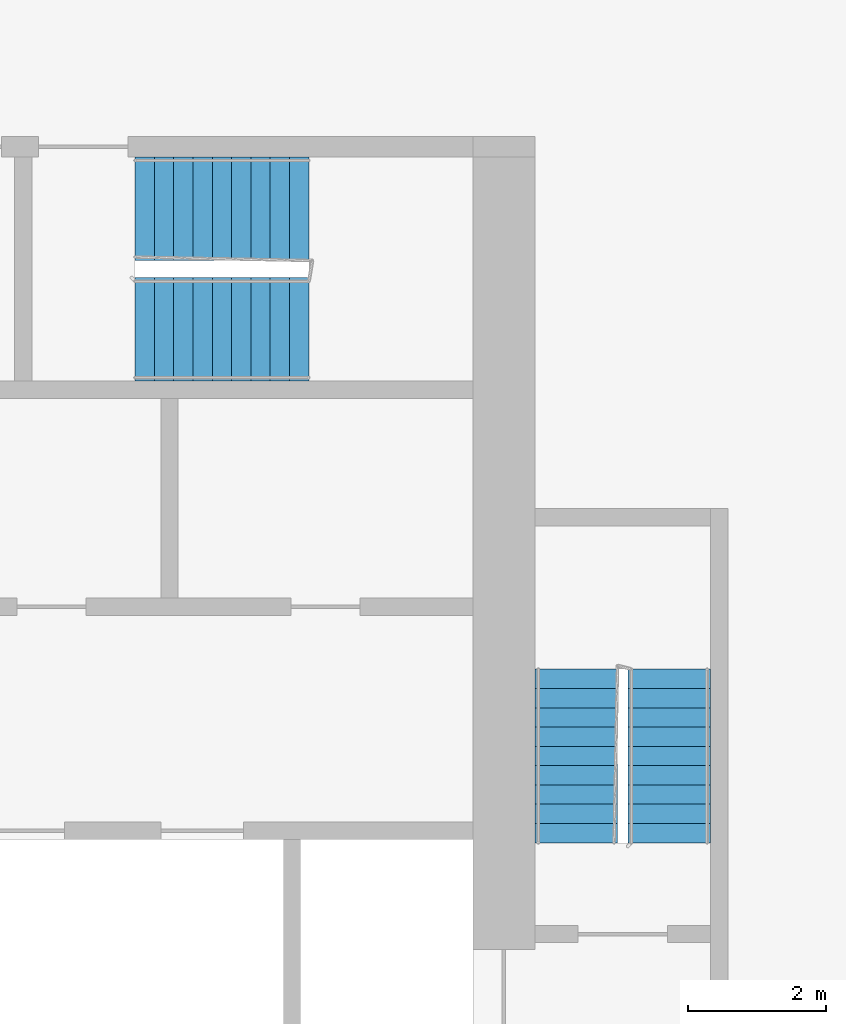
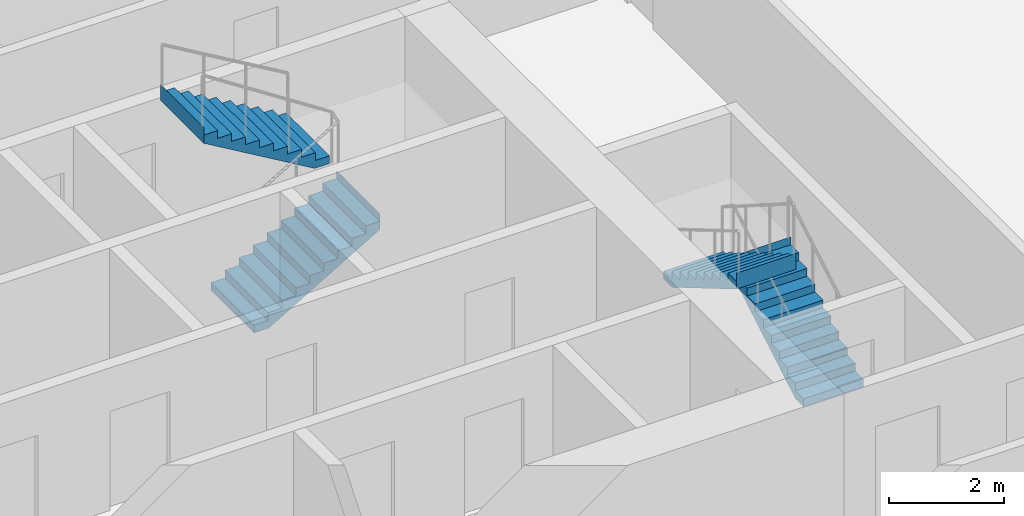
# One storey, part 10 of 12: 4 stair flights, 2 elements without a shape of their own.
"""IFC4 building model written with IfcOpenShell, lengths in metres."""

from ifc_helpers import new_model, si_unit, direction, frame, origin, place, context, subcontext, project, spatial, faceted_brep, material, type_object, element, aggregate, save


model = new_model("IFC4")

# Units and contexts
model_context = context("Model", 3, precision=1e-05, world=origin(), true_north=direction((0.0, 1.0)))
body_context = subcontext(model_context, "Body", "Model", "MODEL_VIEW")
ifc_project = project(units=[si_unit("LENGTHUNIT", "METRE"), si_unit("AREAUNIT", "SQUARE_METRE"), si_unit("VOLUMEUNIT", "CUBIC_METRE"), si_unit("PLANEANGLEUNIT", "RADIAN"), si_unit("MASSUNIT", "GRAM", prefix="KILO")], contexts=[model_context])

# Site, building, storey
site_placement = place(None, origin())
site = spatial("IfcSite", under=ifc_project, at=site_placement, CompositionType="ELEMENT")
building_placement = place(site_placement, origin())
building = spatial("IfcBuilding", under=site, at=building_placement, Name="Kajstack Hotel Tower", CompositionType="ELEMENT")
storey_placement = place(building_placement, frame((0.0, 0.0, 227.60009765625)))
storey = spatial("IfcBuildingStorey", under=building, at=storey_placement, Name="L55", CompositionType="ELEMENT", Elevation=227.60009765625)

# Stair, stair flights
ifc_material = material(Name="Concrete C40/50", Category="concrete")
stair_type_1 = type_object("IfcStairType", Name="Exit stair 1200", PredefinedType="HALF_TURN_STAIR", material=ifc_material)
stair_1_placement = place(storey_placement, origin())
stair_1 = element("IfcStair", 1, at=stair_1_placement, inside=storey, type_object=stair_type_1, Name="L55 stair E1", PredefinedType="HALF_TURN_STAIR")
stair_flight_type_1 = type_object("IfcStairFlightType", Name="Exit stair flight 1200", PredefinedType="STRAIGHT", material=ifc_material)
stair_flight_1_placement = place(storey_placement, frame((33.449951171875, 5.25, 0.0), z_axis=(0.0, 0.0, 1.0), x_axis=(0.0, 1.0, 0.0)))
stair_flight_1 = element("IfcStairFlight", 2, at=stair_flight_1_placement, type_object=stair_flight_type_1, Name="E1 flight 1", NumberOfRisers=10, NumberOfTreads=9, PredefinedType="STRAIGHT", RiserHeight=0.165, TreadLength=0.28, context=body_context, shape_type="Brep", body=[
    faceted_brep([(0.295654296875, -0.60009765625, 0.0), (2.5205078125, -0.60009765625, 1.31103515625), (2.5205078125, -0.60009765625, 1.64990234375), (2.52001953125, -0.60009765625, 1.64990234375), (2.52001953125, -0.60009765625, 1.485107421875), (2.239990234375, -0.60009765625, 1.485107421875), (2.239990234375, -0.60009765625, 1.320068359375), (1.9599609375, -0.60009765625, 1.320068359375), (1.9599609375, -0.60009765625, 1.155029296875), (1.679931640625, -0.60009765625, 1.155029296875), (1.679931640625, -0.60009765625, 0.989990234375), (1.39990234375, -0.60009765625, 0.989990234375), (1.39990234375, -0.60009765625, 0.824951171875), (1.1201171875, -0.60009765625, 0.824951171875), (1.1201171875, -0.60009765625, 0.659912109375), (0.840087890625, -0.60009765625, 0.659912109375), (0.840087890625, -0.60009765625, 0.4951171875), (0.56005859375, -0.60009765625, 0.4951171875), (0.56005859375, -0.60009765625, 0.330078125), (0.280029296875, -0.60009765625, 0.330078125), (0.280029296875, -0.60009765625, 0.1650390625), (-0.00048828125, -0.60009765625, 0.1650390625), (-0.00048828125, -0.60009765625, 0.0), (-0.00048828125, 0.60009765625, 0.0), (-0.00048828125, 0.60009765625, 0.1650390625), (0.280029296875, 0.60009765625, 0.1650390625), (0.280029296875, 0.60009765625, 0.330078125), (0.56005859375, 0.60009765625, 0.330078125), (0.56005859375, 0.60009765625, 0.4951171875), (0.840087890625, 0.60009765625, 0.4951171875), (0.840087890625, 0.60009765625, 0.659912109375), (1.1201171875, 0.60009765625, 0.659912109375), (1.1201171875, 0.60009765625, 0.824951171875), (1.39990234375, 0.60009765625, 0.824951171875), (1.39990234375, 0.60009765625, 0.989990234375), (1.679931640625, 0.60009765625, 0.989990234375), (1.679931640625, 0.60009765625, 1.155029296875), (1.9599609375, 0.60009765625, 1.155029296875), (1.9599609375, 0.60009765625, 1.320068359375), (2.239990234375, 0.60009765625, 1.320068359375), (2.239990234375, 0.60009765625, 1.485107421875), (2.52001953125, 0.60009765625, 1.485107421875), (2.52001953125, 0.60009765625, 1.64990234375), (2.5205078125, 0.60009765625, 1.64990234375), (2.5205078125, 0.60009765625, 1.31103515625), (0.295654296875, 0.60009765625, 0.0), (-0.00048828125, -0.300048828125, 0.1650390625), (-0.00048828125, 0.0, 0.1650390625), (-0.00048828125, 0.300048828125, 0.1650390625), (-0.00048828125, 0.300048828125, 0.0), (-0.00048828125, 0.0, 0.0), (-0.00048828125, -0.300048828125, 0.0), (0.280029296875, -0.300048828125, 0.1650390625), (0.280029296875, 0.0, 0.1650390625), (0.280029296875, 0.300048828125, 0.1650390625), (0.280029296875, -0.300048828125, 0.330078125), (0.280029296875, 0.0, 0.330078125), (0.280029296875, 0.300048828125, 0.330078125), (0.56005859375, -0.300048828125, 0.330078125), (0.56005859375, 0.0, 0.330078125), (0.56005859375, 0.300048828125, 0.330078125), (0.56005859375, -0.300048828125, 0.4951171875), (0.56005859375, 0.0, 0.4951171875), (0.56005859375, 0.300048828125, 0.4951171875), (0.840087890625, -0.300048828125, 0.4951171875), (0.840087890625, 0.0, 0.4951171875), (0.840087890625, 0.300048828125, 0.4951171875), (0.840087890625, -0.300048828125, 0.659912109375), (0.840087890625, 0.0, 0.659912109375), (0.840087890625, 0.300048828125, 0.659912109375), (1.1201171875, -0.300048828125, 0.659912109375), (1.1201171875, 0.0, 0.659912109375), (1.1201171875, 0.300048828125, 0.659912109375), (1.1201171875, -0.300048828125, 0.824951171875), (1.1201171875, 0.0, 0.824951171875), (1.1201171875, 0.300048828125, 0.824951171875), (1.39990234375, -0.300048828125, 0.824951171875), (1.39990234375, 0.0, 0.824951171875), (1.39990234375, 0.300048828125, 0.824951171875), (1.39990234375, -0.300048828125, 0.989990234375), (1.39990234375, 0.0, 0.989990234375), (1.39990234375, 0.300048828125, 0.989990234375), (1.679931640625, -0.300048828125, 0.989990234375), (1.679931640625, 0.0, 0.989990234375), (1.679931640625, 0.300048828125, 0.989990234375), (1.679931640625, -0.300048828125, 1.155029296875), (1.679931640625, 0.0, 1.155029296875), (1.679931640625, 0.300048828125, 1.155029296875), (1.9599609375, -0.300048828125, 1.155029296875), (1.9599609375, 0.0, 1.155029296875), (1.9599609375, 0.300048828125, 1.155029296875), (1.9599609375, -0.300048828125, 1.320068359375), (1.9599609375, 0.0, 1.320068359375), (1.9599609375, 0.300048828125, 1.320068359375), (2.239990234375, -0.300048828125, 1.320068359375), (2.239990234375, 0.0, 1.320068359375), (2.239990234375, 0.300048828125, 1.320068359375), (2.239990234375, -0.300048828125, 1.485107421875), (2.239990234375, 0.0, 1.485107421875), (2.239990234375, 0.300048828125, 1.485107421875), (2.52001953125, -0.300048828125, 1.485107421875), (2.52001953125, 0.0, 1.485107421875), (2.52001953125, 0.300048828125, 1.485107421875), (2.52001953125, -0.300048828125, 1.64990234375), (2.52001953125, 0.0, 1.64990234375), (2.52001953125, 0.300048828125, 1.64990234375), (2.5205078125, -0.300048828125, 1.64990234375), (2.5205078125, 0.0, 1.64990234375), (2.5205078125, 0.300048828125, 1.64990234375), (2.5205078125, -0.300048828125, 1.31103515625), (2.5205078125, 0.0, 1.31103515625), (2.5205078125, 0.300048828125, 1.31103515625), (0.295654296875, -0.300048828125, 0.0), (0.295654296875, 0.0, 0.0), (0.295654296875, 0.300048828125, 0.0)], [[[0, 1, 2, 3, 4, 5, 6, 7, 8, 9, 10, 11, 12, 13, 14, 15, 16, 17, 18, 19, 20, 21, 22]], [[23, 24, 25, 26, 27, 28, 29, 30, 31, 32, 33, 34, 35, 36, 37, 38, 39, 40, 41, 42, 43, 44, 45]], [[21, 46, 47, 48, 24, 23, 49, 50, 51, 22]], [[20, 52, 53, 54, 25, 24, 48, 47, 46, 21]], [[19, 55, 56, 57, 26, 25, 54, 53, 52, 20]], [[18, 58, 59, 60, 27, 26, 57, 56, 55, 19]], [[17, 61, 62, 63, 28, 27, 60, 59, 58, 18]], [[16, 64, 65, 66, 29, 28, 63, 62, 61, 17]], [[15, 67, 68, 69, 30, 29, 66, 65, 64, 16]], [[14, 70, 71, 72, 31, 30, 69, 68, 67, 15]], [[13, 73, 74, 75, 32, 31, 72, 71, 70, 14]], [[12, 76, 77, 78, 33, 32, 75, 74, 73, 13]], [[11, 79, 80, 81, 34, 33, 78, 77, 76, 12]], [[10, 82, 83, 84, 35, 34, 81, 80, 79, 11]], [[9, 85, 86, 87, 36, 35, 84, 83, 82, 10]], [[8, 88, 89, 90, 37, 36, 87, 86, 85, 9]], [[7, 91, 92, 93, 38, 37, 90, 89, 88, 8]], [[6, 94, 95, 96, 39, 38, 93, 92, 91, 7]], [[5, 97, 98, 99, 40, 39, 96, 95, 94, 6]], [[4, 100, 101, 102, 41, 40, 99, 98, 97, 5]], [[3, 103, 104, 105, 42, 41, 102, 101, 100, 4]], [[2, 106, 107, 108, 43, 42, 105, 104, 103, 3]], [[1, 109, 110, 111, 44, 43, 108, 107, 106, 2]], [[0, 112, 113, 114, 45, 44, 111, 110, 109, 1]], [[22, 51, 50, 49, 23, 45, 114, 113, 112, 0]]]),
])
stair_flight_2_placement = place(storey_placement, frame((32.10009765625, 7.77001953125, 1.64990234375), z_axis=(0.0, 0.0, 1.0), x_axis=(0.0, -1.0, 0.0)))
stair_flight_2 = element("IfcStairFlight", 3, at=stair_flight_2_placement, type_object=stair_flight_type_1, Name="E1 flight 2", NumberOfRisers=10, NumberOfTreads=9, PredefinedType="STRAIGHT", RiserHeight=0.165, TreadLength=0.28, context=body_context, shape_type="Brep", body=[
    faceted_brep([(0.295654296875, -0.60009765625, 0.0), (2.5205078125, -0.60009765625, 1.31103515625), (2.5205078125, -0.60009765625, 1.64990234375), (2.52001953125, -0.60009765625, 1.64990234375), (2.52001953125, -0.60009765625, 1.485107421875), (2.239990234375, -0.60009765625, 1.485107421875), (2.239990234375, -0.60009765625, 1.320068359375), (1.9599609375, -0.60009765625, 1.320068359375), (1.9599609375, -0.60009765625, 1.155029296875), (1.679931640625, -0.60009765625, 1.155029296875), (1.679931640625, -0.60009765625, 0.989990234375), (1.39990234375, -0.60009765625, 0.989990234375), (1.39990234375, -0.60009765625, 0.824951171875), (1.1201171875, -0.60009765625, 0.824951171875), (1.1201171875, -0.60009765625, 0.659912109375), (0.840087890625, -0.60009765625, 0.659912109375), (0.840087890625, -0.60009765625, 0.4951171875), (0.56005859375, -0.60009765625, 0.4951171875), (0.56005859375, -0.60009765625, 0.330078125), (0.280029296875, -0.60009765625, 0.330078125), (0.280029296875, -0.60009765625, 0.1650390625), (-0.00048828125, -0.60009765625, 0.1650390625), (-0.00048828125, -0.60009765625, 0.0), (-0.00048828125, 0.60009765625, 0.0), (-0.00048828125, 0.60009765625, 0.1650390625), (0.280029296875, 0.60009765625, 0.1650390625), (0.280029296875, 0.60009765625, 0.330078125), (0.56005859375, 0.60009765625, 0.330078125), (0.56005859375, 0.60009765625, 0.4951171875), (0.840087890625, 0.60009765625, 0.4951171875), (0.840087890625, 0.60009765625, 0.659912109375), (1.1201171875, 0.60009765625, 0.659912109375), (1.1201171875, 0.60009765625, 0.824951171875), (1.39990234375, 0.60009765625, 0.824951171875), (1.39990234375, 0.60009765625, 0.989990234375), (1.679931640625, 0.60009765625, 0.989990234375), (1.679931640625, 0.60009765625, 1.155029296875), (1.9599609375, 0.60009765625, 1.155029296875), (1.9599609375, 0.60009765625, 1.320068359375), (2.239990234375, 0.60009765625, 1.320068359375), (2.239990234375, 0.60009765625, 1.485107421875), (2.52001953125, 0.60009765625, 1.485107421875), (2.52001953125, 0.60009765625, 1.64990234375), (2.5205078125, 0.60009765625, 1.64990234375), (2.5205078125, 0.60009765625, 1.31103515625), (0.295654296875, 0.60009765625, 0.0), (-0.00048828125, -0.300048828125, 0.1650390625), (-0.00048828125, 0.0, 0.1650390625), (-0.00048828125, 0.300048828125, 0.1650390625), (-0.00048828125, 0.300048828125, 0.0), (-0.00048828125, 0.0, 0.0), (-0.00048828125, -0.300048828125, 0.0), (0.280029296875, -0.300048828125, 0.1650390625), (0.280029296875, 0.0, 0.1650390625), (0.280029296875, 0.300048828125, 0.1650390625), (0.280029296875, -0.300048828125, 0.330078125), (0.280029296875, 0.0, 0.330078125), (0.280029296875, 0.300048828125, 0.330078125), (0.56005859375, -0.300048828125, 0.330078125), (0.56005859375, 0.0, 0.330078125), (0.56005859375, 0.300048828125, 0.330078125), (0.56005859375, -0.300048828125, 0.4951171875), (0.56005859375, 0.0, 0.4951171875), (0.56005859375, 0.300048828125, 0.4951171875), (0.840087890625, -0.300048828125, 0.4951171875), (0.840087890625, 0.0, 0.4951171875), (0.840087890625, 0.300048828125, 0.4951171875), (0.840087890625, -0.300048828125, 0.659912109375), (0.840087890625, 0.0, 0.659912109375), (0.840087890625, 0.300048828125, 0.659912109375), (1.1201171875, -0.300048828125, 0.659912109375), (1.1201171875, 0.0, 0.659912109375), (1.1201171875, 0.300048828125, 0.659912109375), (1.1201171875, -0.300048828125, 0.824951171875), (1.1201171875, 0.0, 0.824951171875), (1.1201171875, 0.300048828125, 0.824951171875), (1.39990234375, -0.300048828125, 0.824951171875), (1.39990234375, 0.0, 0.824951171875), (1.39990234375, 0.300048828125, 0.824951171875), (1.39990234375, -0.300048828125, 0.989990234375), (1.39990234375, 0.0, 0.989990234375), (1.39990234375, 0.300048828125, 0.989990234375), (1.679931640625, -0.300048828125, 0.989990234375), (1.679931640625, 0.0, 0.989990234375), (1.679931640625, 0.300048828125, 0.989990234375), (1.679931640625, -0.300048828125, 1.155029296875), (1.679931640625, 0.0, 1.155029296875), (1.679931640625, 0.300048828125, 1.155029296875), (1.9599609375, -0.300048828125, 1.155029296875), (1.9599609375, 0.0, 1.155029296875), (1.9599609375, 0.300048828125, 1.155029296875), (1.9599609375, -0.300048828125, 1.320068359375), (1.9599609375, 0.0, 1.320068359375), (1.9599609375, 0.300048828125, 1.320068359375), (2.239990234375, -0.300048828125, 1.320068359375), (2.239990234375, 0.0, 1.320068359375), (2.239990234375, 0.300048828125, 1.320068359375), (2.239990234375, -0.300048828125, 1.485107421875), (2.239990234375, 0.0, 1.485107421875), (2.239990234375, 0.300048828125, 1.485107421875), (2.52001953125, -0.300048828125, 1.485107421875), (2.52001953125, 0.0, 1.485107421875), (2.52001953125, 0.300048828125, 1.485107421875), (2.52001953125, -0.300048828125, 1.64990234375), (2.52001953125, 0.0, 1.64990234375), (2.52001953125, 0.300048828125, 1.64990234375), (2.5205078125, -0.300048828125, 1.64990234375), (2.5205078125, 0.0, 1.64990234375), (2.5205078125, 0.300048828125, 1.64990234375), (2.5205078125, -0.300048828125, 1.31103515625), (2.5205078125, 0.0, 1.31103515625), (2.5205078125, 0.300048828125, 1.31103515625), (0.295654296875, -0.300048828125, 0.0), (0.295654296875, 0.0, 0.0), (0.295654296875, 0.300048828125, 0.0)], [[[0, 1, 2, 3, 4, 5, 6, 7, 8, 9, 10, 11, 12, 13, 14, 15, 16, 17, 18, 19, 20, 21, 22]], [[23, 24, 25, 26, 27, 28, 29, 30, 31, 32, 33, 34, 35, 36, 37, 38, 39, 40, 41, 42, 43, 44, 45]], [[21, 46, 47, 48, 24, 23, 49, 50, 51, 22]], [[20, 52, 53, 54, 25, 24, 48, 47, 46, 21]], [[19, 55, 56, 57, 26, 25, 54, 53, 52, 20]], [[18, 58, 59, 60, 27, 26, 57, 56, 55, 19]], [[17, 61, 62, 63, 28, 27, 60, 59, 58, 18]], [[16, 64, 65, 66, 29, 28, 63, 62, 61, 17]], [[15, 67, 68, 69, 30, 29, 66, 65, 64, 16]], [[14, 70, 71, 72, 31, 30, 69, 68, 67, 15]], [[13, 73, 74, 75, 32, 31, 72, 71, 70, 14]], [[12, 76, 77, 78, 33, 32, 75, 74, 73, 13]], [[11, 79, 80, 81, 34, 33, 78, 77, 76, 12]], [[10, 82, 83, 84, 35, 34, 81, 80, 79, 11]], [[9, 85, 86, 87, 36, 35, 84, 83, 82, 10]], [[8, 88, 89, 90, 37, 36, 87, 86, 85, 9]], [[7, 91, 92, 93, 38, 37, 90, 89, 88, 8]], [[6, 94, 95, 96, 39, 38, 93, 92, 91, 7]], [[5, 97, 98, 99, 40, 39, 96, 95, 94, 6]], [[4, 100, 101, 102, 41, 40, 99, 98, 97, 5]], [[3, 103, 104, 105, 42, 41, 102, 101, 100, 4]], [[2, 106, 107, 108, 43, 42, 105, 104, 103, 3]], [[1, 109, 110, 111, 44, 43, 108, 107, 106, 2]], [[0, 112, 113, 114, 45, 44, 111, 110, 109, 1]], [[22, 51, 50, 49, 23, 45, 114, 113, 112, 0]]]),
])
aggregate(stair_1, [stair_flight_1, stair_flight_2])

stair_type_2 = type_object("IfcStairType", Name="Exit stair 1500", PredefinedType="HALF_TURN_STAIR", material=ifc_material)
stair_2_placement = place(storey_placement, origin())
stair_2 = element("IfcStair", 4, at=stair_2_placement, inside=storey, type_object=stair_type_2, Name="L55 stair E3", PredefinedType="HALF_TURN_STAIR")
stair_flight_type_2 = type_object("IfcStairFlightType", Name="Exit stair flight 1500", PredefinedType="STRAIGHT", material=ifc_material)
stair_flight_3_placement = place(storey_placement, frame((25.699951171875, 12.699951171875, 0.0), z_axis=(0.0, 0.0, 1.0), x_axis=(1.0, 0.0, 0.0)))
stair_flight_3 = element("IfcStairFlight", 5, at=stair_flight_3_placement, type_object=stair_flight_type_2, Name="E3 flight 1", NumberOfRisers=10, NumberOfTreads=9, PredefinedType="STRAIGHT", RiserHeight=0.165, TreadLength=0.28, context=body_context, shape_type="Brep", body=[
    faceted_brep([(0.295654296875, -0.75, 0.0), (2.5205078125, -0.75, 1.31103515625), (2.5205078125, -0.75, 1.64990234375), (2.52001953125, -0.75, 1.64990234375), (2.52001953125, -0.75, 1.485107421875), (2.239990234375, -0.75, 1.485107421875), (2.239990234375, -0.75, 1.320068359375), (1.9599609375, -0.75, 1.320068359375), (1.9599609375, -0.75, 1.155029296875), (1.679931640625, -0.75, 1.155029296875), (1.679931640625, -0.75, 0.989990234375), (1.39990234375, -0.75, 0.989990234375), (1.39990234375, -0.75, 0.824951171875), (1.1201171875, -0.75, 0.824951171875), (1.1201171875, -0.75, 0.659912109375), (0.840087890625, -0.75, 0.659912109375), (0.840087890625, -0.75, 0.4951171875), (0.56005859375, -0.75, 0.4951171875), (0.56005859375, -0.75, 0.330078125), (0.280029296875, -0.75, 0.330078125), (0.280029296875, -0.75, 0.1650390625), (-0.00048828125, -0.75, 0.1650390625), (-0.00048828125, -0.75, 0.0), (-0.00048828125, 0.75, 0.0), (-0.00048828125, 0.75, 0.1650390625), (0.280029296875, 0.75, 0.1650390625), (0.280029296875, 0.75, 0.330078125), (0.56005859375, 0.75, 0.330078125), (0.56005859375, 0.75, 0.4951171875), (0.840087890625, 0.75, 0.4951171875), (0.840087890625, 0.75, 0.659912109375), (1.1201171875, 0.75, 0.659912109375), (1.1201171875, 0.75, 0.824951171875), (1.39990234375, 0.75, 0.824951171875), (1.39990234375, 0.75, 0.989990234375), (1.679931640625, 0.75, 0.989990234375), (1.679931640625, 0.75, 1.155029296875), (1.9599609375, 0.75, 1.155029296875), (1.9599609375, 0.75, 1.320068359375), (2.239990234375, 0.75, 1.320068359375), (2.239990234375, 0.75, 1.485107421875), (2.52001953125, 0.75, 1.485107421875), (2.52001953125, 0.75, 1.64990234375), (2.5205078125, 0.75, 1.64990234375), (2.5205078125, 0.75, 1.31103515625), (0.295654296875, 0.75, 0.0), (-0.00048828125, -0.375, 0.1650390625), (-0.00048828125, 0.0, 0.1650390625), (-0.00048828125, 0.375, 0.1650390625), (-0.00048828125, 0.375, 0.0), (-0.00048828125, 0.0, 0.0), (-0.00048828125, -0.375, 0.0), (0.280029296875, -0.375, 0.1650390625), (0.280029296875, 0.0, 0.1650390625), (0.280029296875, 0.375, 0.1650390625), (0.280029296875, -0.375, 0.330078125), (0.280029296875, 0.0, 0.330078125), (0.280029296875, 0.375, 0.330078125), (0.56005859375, -0.375, 0.330078125), (0.56005859375, 0.0, 0.330078125), (0.56005859375, 0.375, 0.330078125), (0.56005859375, -0.375, 0.4951171875), (0.56005859375, 0.0, 0.4951171875), (0.56005859375, 0.375, 0.4951171875), (0.840087890625, -0.375, 0.4951171875), (0.840087890625, 0.0, 0.4951171875), (0.840087890625, 0.375, 0.4951171875), (0.840087890625, -0.375, 0.659912109375), (0.840087890625, 0.0, 0.659912109375), (0.840087890625, 0.375, 0.659912109375), (1.1201171875, -0.375, 0.659912109375), (1.1201171875, 0.0, 0.659912109375), (1.1201171875, 0.375, 0.659912109375), (1.1201171875, -0.375, 0.824951171875), (1.1201171875, 0.0, 0.824951171875), (1.1201171875, 0.375, 0.824951171875), (1.39990234375, -0.375, 0.824951171875), (1.39990234375, 0.0, 0.824951171875), (1.39990234375, 0.375, 0.824951171875), (1.39990234375, -0.375, 0.989990234375), (1.39990234375, 0.0, 0.989990234375), (1.39990234375, 0.375, 0.989990234375), (1.679931640625, -0.375, 0.989990234375), (1.679931640625, 0.0, 0.989990234375), (1.679931640625, 0.375, 0.989990234375), (1.679931640625, -0.375, 1.155029296875), (1.679931640625, 0.0, 1.155029296875), (1.679931640625, 0.375, 1.155029296875), (1.9599609375, -0.375, 1.155029296875), (1.9599609375, 0.0, 1.155029296875), (1.9599609375, 0.375, 1.155029296875), (1.9599609375, -0.375, 1.320068359375), (1.9599609375, 0.0, 1.320068359375), (1.9599609375, 0.375, 1.320068359375), (2.239990234375, -0.375, 1.320068359375), (2.239990234375, 0.0, 1.320068359375), (2.239990234375, 0.375, 1.320068359375), (2.239990234375, -0.375, 1.485107421875), (2.239990234375, 0.0, 1.485107421875), (2.239990234375, 0.375, 1.485107421875), (2.52001953125, -0.375, 1.485107421875), (2.52001953125, 0.0, 1.485107421875), (2.52001953125, 0.375, 1.485107421875), (2.52001953125, -0.375, 1.64990234375), (2.52001953125, 0.0, 1.64990234375), (2.52001953125, 0.375, 1.64990234375), (2.5205078125, -0.375, 1.64990234375), (2.5205078125, 0.0, 1.64990234375), (2.5205078125, 0.375, 1.64990234375), (2.5205078125, -0.375, 1.31103515625), (2.5205078125, 0.0, 1.31103515625), (2.5205078125, 0.375, 1.31103515625), (0.295654296875, -0.375, 0.0), (0.295654296875, 0.0, 0.0), (0.295654296875, 0.375, 0.0)], [[[0, 1, 2, 3, 4, 5, 6, 7, 8, 9, 10, 11, 12, 13, 14, 15, 16, 17, 18, 19, 20, 21, 22]], [[23, 24, 25, 26, 27, 28, 29, 30, 31, 32, 33, 34, 35, 36, 37, 38, 39, 40, 41, 42, 43, 44, 45]], [[21, 46, 47, 48, 24, 23, 49, 50, 51, 22]], [[20, 52, 53, 54, 25, 24, 48, 47, 46, 21]], [[19, 55, 56, 57, 26, 25, 54, 53, 52, 20]], [[18, 58, 59, 60, 27, 26, 57, 56, 55, 19]], [[17, 61, 62, 63, 28, 27, 60, 59, 58, 18]], [[16, 64, 65, 66, 29, 28, 63, 62, 61, 17]], [[15, 67, 68, 69, 30, 29, 66, 65, 64, 16]], [[14, 70, 71, 72, 31, 30, 69, 68, 67, 15]], [[13, 73, 74, 75, 32, 31, 72, 71, 70, 14]], [[12, 76, 77, 78, 33, 32, 75, 74, 73, 13]], [[11, 79, 80, 81, 34, 33, 78, 77, 76, 12]], [[10, 82, 83, 84, 35, 34, 81, 80, 79, 11]], [[9, 85, 86, 87, 36, 35, 84, 83, 82, 10]], [[8, 88, 89, 90, 37, 36, 87, 86, 85, 9]], [[7, 91, 92, 93, 38, 37, 90, 89, 88, 8]], [[6, 94, 95, 96, 39, 38, 93, 92, 91, 7]], [[5, 97, 98, 99, 40, 39, 96, 95, 94, 6]], [[4, 100, 101, 102, 41, 40, 99, 98, 97, 5]], [[3, 103, 104, 105, 42, 41, 102, 101, 100, 4]], [[2, 106, 107, 108, 43, 42, 105, 104, 103, 3]], [[1, 109, 110, 111, 44, 43, 108, 107, 106, 2]], [[0, 112, 113, 114, 45, 44, 111, 110, 109, 1]], [[22, 51, 50, 49, 23, 45, 114, 113, 112, 0]]]),
])
stair_flight_4_placement = place(storey_placement, frame((28.219970703125, 14.449951171875, 1.64990234375), z_axis=(0.0, 0.0, 1.0), x_axis=(-1.0, 0.0, 0.0)))
stair_flight_4 = element("IfcStairFlight", 6, at=stair_flight_4_placement, type_object=stair_flight_type_2, Name="E3 flight 2", NumberOfRisers=10, NumberOfTreads=9, PredefinedType="STRAIGHT", RiserHeight=0.165, TreadLength=0.28, context=body_context, shape_type="Brep", body=[
    faceted_brep([(0.295654296875, -0.75, 0.0), (2.5205078125, -0.75, 1.31103515625), (2.5205078125, -0.75, 1.64990234375), (2.52001953125, -0.75, 1.64990234375), (2.52001953125, -0.75, 1.485107421875), (2.239990234375, -0.75, 1.485107421875), (2.239990234375, -0.75, 1.320068359375), (1.9599609375, -0.75, 1.320068359375), (1.9599609375, -0.75, 1.155029296875), (1.679931640625, -0.75, 1.155029296875), (1.679931640625, -0.75, 0.989990234375), (1.39990234375, -0.75, 0.989990234375), (1.39990234375, -0.75, 0.824951171875), (1.1201171875, -0.75, 0.824951171875), (1.1201171875, -0.75, 0.659912109375), (0.840087890625, -0.75, 0.659912109375), (0.840087890625, -0.75, 0.4951171875), (0.56005859375, -0.75, 0.4951171875), (0.56005859375, -0.75, 0.330078125), (0.280029296875, -0.75, 0.330078125), (0.280029296875, -0.75, 0.1650390625), (-0.00048828125, -0.75, 0.1650390625), (-0.00048828125, -0.75, 0.0), (-0.00048828125, 0.75, 0.0), (-0.00048828125, 0.75, 0.1650390625), (0.280029296875, 0.75, 0.1650390625), (0.280029296875, 0.75, 0.330078125), (0.56005859375, 0.75, 0.330078125), (0.56005859375, 0.75, 0.4951171875), (0.840087890625, 0.75, 0.4951171875), (0.840087890625, 0.75, 0.659912109375), (1.1201171875, 0.75, 0.659912109375), (1.1201171875, 0.75, 0.824951171875), (1.39990234375, 0.75, 0.824951171875), (1.39990234375, 0.75, 0.989990234375), (1.679931640625, 0.75, 0.989990234375), (1.679931640625, 0.75, 1.155029296875), (1.9599609375, 0.75, 1.155029296875), (1.9599609375, 0.75, 1.320068359375), (2.239990234375, 0.75, 1.320068359375), (2.239990234375, 0.75, 1.485107421875), (2.52001953125, 0.75, 1.485107421875), (2.52001953125, 0.75, 1.64990234375), (2.5205078125, 0.75, 1.64990234375), (2.5205078125, 0.75, 1.31103515625), (0.295654296875, 0.75, 0.0), (-0.00048828125, -0.375, 0.1650390625), (-0.00048828125, 0.0, 0.1650390625), (-0.00048828125, 0.375, 0.1650390625), (-0.00048828125, 0.375, 0.0), (-0.00048828125, 0.0, 0.0), (-0.00048828125, -0.375, 0.0), (0.280029296875, -0.375, 0.1650390625), (0.280029296875, 0.0, 0.1650390625), (0.280029296875, 0.375, 0.1650390625), (0.280029296875, -0.375, 0.330078125), (0.280029296875, 0.0, 0.330078125), (0.280029296875, 0.375, 0.330078125), (0.56005859375, -0.375, 0.330078125), (0.56005859375, 0.0, 0.330078125), (0.56005859375, 0.375, 0.330078125), (0.56005859375, -0.375, 0.4951171875), (0.56005859375, 0.0, 0.4951171875), (0.56005859375, 0.375, 0.4951171875), (0.840087890625, -0.375, 0.4951171875), (0.840087890625, 0.0, 0.4951171875), (0.840087890625, 0.375, 0.4951171875), (0.840087890625, -0.375, 0.659912109375), (0.840087890625, 0.0, 0.659912109375), (0.840087890625, 0.375, 0.659912109375), (1.1201171875, -0.375, 0.659912109375), (1.1201171875, 0.0, 0.659912109375), (1.1201171875, 0.375, 0.659912109375), (1.1201171875, -0.375, 0.824951171875), (1.1201171875, 0.0, 0.824951171875), (1.1201171875, 0.375, 0.824951171875), (1.39990234375, -0.375, 0.824951171875), (1.39990234375, 0.0, 0.824951171875), (1.39990234375, 0.375, 0.824951171875), (1.39990234375, -0.375, 0.989990234375), (1.39990234375, 0.0, 0.989990234375), (1.39990234375, 0.375, 0.989990234375), (1.679931640625, -0.375, 0.989990234375), (1.679931640625, 0.0, 0.989990234375), (1.679931640625, 0.375, 0.989990234375), (1.679931640625, -0.375, 1.155029296875), (1.679931640625, 0.0, 1.155029296875), (1.679931640625, 0.375, 1.155029296875), (1.9599609375, -0.375, 1.155029296875), (1.9599609375, 0.0, 1.155029296875), (1.9599609375, 0.375, 1.155029296875), (1.9599609375, -0.375, 1.320068359375), (1.9599609375, 0.0, 1.320068359375), (1.9599609375, 0.375, 1.320068359375), (2.239990234375, -0.375, 1.320068359375), (2.239990234375, 0.0, 1.320068359375), (2.239990234375, 0.375, 1.320068359375), (2.239990234375, -0.375, 1.485107421875), (2.239990234375, 0.0, 1.485107421875), (2.239990234375, 0.375, 1.485107421875), (2.52001953125, -0.375, 1.485107421875), (2.52001953125, 0.0, 1.485107421875), (2.52001953125, 0.375, 1.485107421875), (2.52001953125, -0.375, 1.64990234375), (2.52001953125, 0.0, 1.64990234375), (2.52001953125, 0.375, 1.64990234375), (2.5205078125, -0.375, 1.64990234375), (2.5205078125, 0.0, 1.64990234375), (2.5205078125, 0.375, 1.64990234375), (2.5205078125, -0.375, 1.31103515625), (2.5205078125, 0.0, 1.31103515625), (2.5205078125, 0.375, 1.31103515625), (0.295654296875, -0.375, 0.0), (0.295654296875, 0.0, 0.0), (0.295654296875, 0.375, 0.0)], [[[0, 1, 2, 3, 4, 5, 6, 7, 8, 9, 10, 11, 12, 13, 14, 15, 16, 17, 18, 19, 20, 21, 22]], [[23, 24, 25, 26, 27, 28, 29, 30, 31, 32, 33, 34, 35, 36, 37, 38, 39, 40, 41, 42, 43, 44, 45]], [[21, 46, 47, 48, 24, 23, 49, 50, 51, 22]], [[20, 52, 53, 54, 25, 24, 48, 47, 46, 21]], [[19, 55, 56, 57, 26, 25, 54, 53, 52, 20]], [[18, 58, 59, 60, 27, 26, 57, 56, 55, 19]], [[17, 61, 62, 63, 28, 27, 60, 59, 58, 18]], [[16, 64, 65, 66, 29, 28, 63, 62, 61, 17]], [[15, 67, 68, 69, 30, 29, 66, 65, 64, 16]], [[14, 70, 71, 72, 31, 30, 69, 68, 67, 15]], [[13, 73, 74, 75, 32, 31, 72, 71, 70, 14]], [[12, 76, 77, 78, 33, 32, 75, 74, 73, 13]], [[11, 79, 80, 81, 34, 33, 78, 77, 76, 12]], [[10, 82, 83, 84, 35, 34, 81, 80, 79, 11]], [[9, 85, 86, 87, 36, 35, 84, 83, 82, 10]], [[8, 88, 89, 90, 37, 36, 87, 86, 85, 9]], [[7, 91, 92, 93, 38, 37, 90, 89, 88, 8]], [[6, 94, 95, 96, 39, 38, 93, 92, 91, 7]], [[5, 97, 98, 99, 40, 39, 96, 95, 94, 6]], [[4, 100, 101, 102, 41, 40, 99, 98, 97, 5]], [[3, 103, 104, 105, 42, 41, 102, 101, 100, 4]], [[2, 106, 107, 108, 43, 42, 105, 104, 103, 3]], [[1, 109, 110, 111, 44, 43, 108, 107, 106, 2]], [[0, 112, 113, 114, 45, 44, 111, 110, 109, 1]], [[22, 51, 50, 49, 23, 45, 114, 113, 112, 0]]]),
])
aggregate(stair_2, [stair_flight_3, stair_flight_4])

save(model, "model.ifc")
